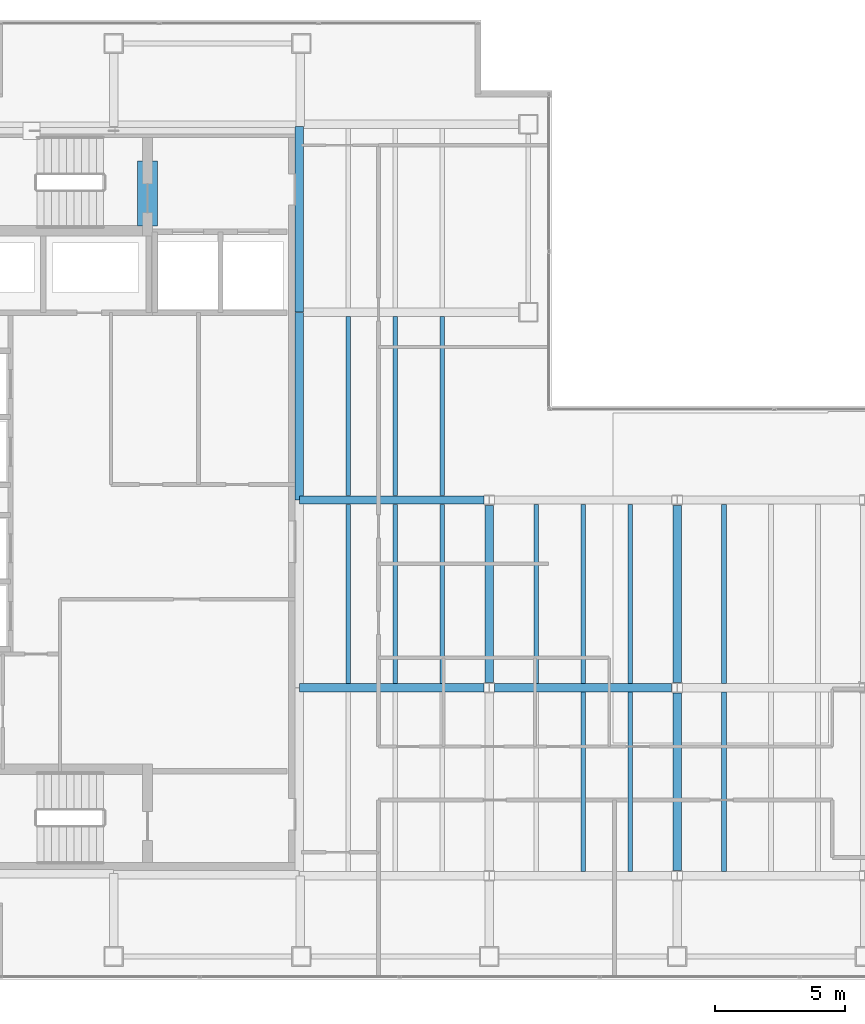
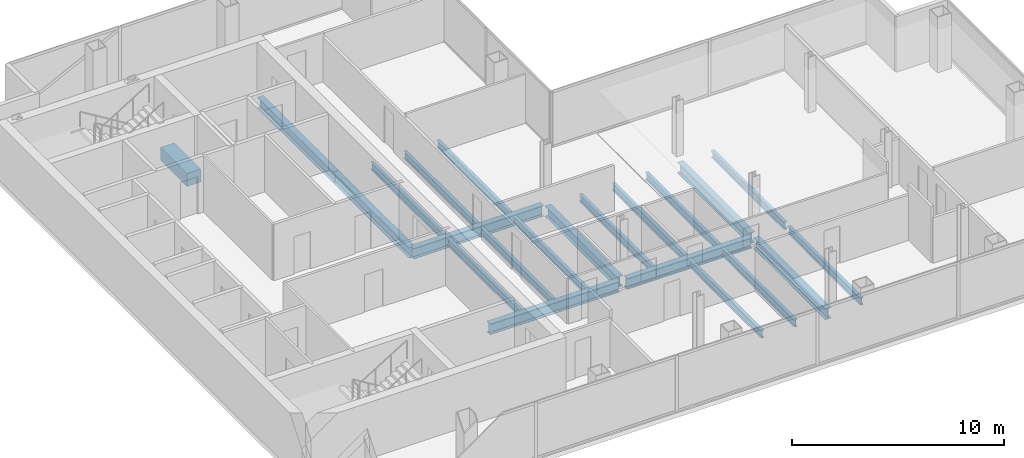
# One storey, part 7 of 23: 22 beams.
"""IFC4 building model written with IfcOpenShell, lengths in metres."""

from ifc_helpers import new_model, si_unit, direction, frame, origin, origin_2d, place, context, subcontext, project, spatial, rectangle, i_section, extrude, material, material_profile, profile_set, type_object, element, save


model = new_model("IFC4")

# Units and contexts
model_context = context("Model", 3, precision=1e-05, world=origin(), true_north=direction((0.0, 1.0)))
body_context = subcontext(model_context, "Body", "Model", "MODEL_VIEW")
ifc_project = project(units=[si_unit("LENGTHUNIT", "METRE"), si_unit("AREAUNIT", "SQUARE_METRE"), si_unit("VOLUMEUNIT", "CUBIC_METRE"), si_unit("PLANEANGLEUNIT", "RADIAN"), si_unit("MASSUNIT", "GRAM", prefix="KILO")], contexts=[model_context])

# Site, building, storey
site_placement = place(None, origin())
site = spatial("IfcSite", under=ifc_project, at=site_placement, CompositionType="ELEMENT")
building_placement = place(site_placement, origin())
building = spatial("IfcBuilding", under=site, at=building_placement, Name="Cobrela Telecom Tower", CompositionType="ELEMENT")
storey_placement = place(building_placement, frame((0.0, 0.0, 225.75)))
storey = spatial("IfcBuildingStorey", under=building, at=storey_placement, Name="L58", CompositionType="ELEMENT", Elevation=225.75)

# Beams
ifc_material_1 = material(Name="Concrete C40/50", Category="concrete")
ifc_material_profile_1 = material_profile(ifc_material_1, rectangle(XDim=0.75, YDim=0.75, at=origin_2d()), Name="RC 750x750")
ifc_profile_set_1 = profile_set([ifc_material_profile_1], Name="Concrete C40/50")
beam_type_1 = type_object("IfcBeamType", Name="BM-COUP-RC", PredefinedType="LINTEL", material=ifc_profile_set_1)
beam_1_placement = place(storey_placement, frame((8.5, 32.10009765625, -0.610107421875), z_axis=(0.0, 1.0, 0.0), x_axis=(-1.0, 0.0, 0.0)))
element("IfcBeam", 1, at=beam_1_placement, inside=storey, type_object=beam_type_1, Name="L58 Core Coupling Lintel Beam", PredefinedType="LINTEL", context=body_context, shape_type="SweptSolid", body=[
    extrude(rectangle(XDim=0.75, YDim=0.75, at=origin_2d()), origin(), (0.0, 0.0, 1.0), 2.5),
])
ifc_material_2 = material(Name="Steel ASTM A992 Grade 50", Category="steel")
ifc_material_profile_2 = material_profile(ifc_material_2, i_section(OverallWidth=0.324951171875, OverallDepth=0.612060546875, WebThickness=0.0126953125, FlangeThickness=0.01904296875, FilletRadius=0.014892578125, at=origin_2d()), Name="W24X104")
ifc_profile_set_2 = profile_set([ifc_material_profile_2], Name="Steel ASTM A992 Grade 50")
beam_type_2 = type_object("IfcBeamType", Name="BM-GIRD-07", PredefinedType="USERDEFINED", material=ifc_profile_set_2)
beam_2_placement = place(storey_placement, frame((14.324951171875, 14.39990234375, -0.56591796875), z_axis=(1.0, 0.0, 0.0), x_axis=(0.0, 1.0, 0.0)))
element("IfcBeam", 2, at=beam_2_placement, inside=storey, type_object=beam_type_2, Name="L58 Primary Girder X11", ObjectType="GIRDER", PredefinedType="USERDEFINED", context=body_context, shape_type="SweptSolid", body=[
    extrude(i_section(OverallWidth=0.324951171875, OverallDepth=0.612060546875, WebThickness=0.0126953125, FlangeThickness=0.01904296875, FilletRadius=0.014892578125, at=origin_2d()), origin(), (0.0, 0.0, 1.0), 7.070556640625),
])
beam_3_placement = place(storey_placement, frame((21.804443359375, 14.39990234375, -0.56591796875), z_axis=(1.0, 0.0, 0.0), x_axis=(0.0, 1.0, 0.0)))
element("IfcBeam", 3, at=beam_3_placement, inside=storey, type_object=beam_type_2, Name="L58 Primary Girder X12", ObjectType="GIRDER", PredefinedType="USERDEFINED", context=body_context, shape_type="SweptSolid", body=[
    extrude(i_section(OverallWidth=0.324951171875, OverallDepth=0.612060546875, WebThickness=0.0126953125, FlangeThickness=0.01904296875, FilletRadius=0.014892578125, at=origin_2d()), origin(), (0.0, 0.0, 1.0), 6.791015625),
])
beam_4_placement = place(storey_placement, frame((14.324951171875, 21.60009765625, -0.56591796875), z_axis=(1.0, 0.0, 0.0), x_axis=(0.0, 1.0, 0.0)))
element("IfcBeam", 4, at=beam_4_placement, inside=storey, type_object=beam_type_2, Name="L58 Primary Girder X15", ObjectType="GIRDER", PredefinedType="USERDEFINED", context=body_context, shape_type="SweptSolid", body=[
    extrude(i_section(OverallWidth=0.324951171875, OverallDepth=0.612060546875, WebThickness=0.0126953125, FlangeThickness=0.01904296875, FilletRadius=0.014892578125, at=origin_2d()), origin(), (0.0, 0.0, 1.0), 7.070556640625),
])
beam_5_placement = place(storey_placement, frame((14.320068359375, 21.60498046875, -0.56591796875), z_axis=(0.0, 1.0, 0.0), x_axis=(-1.0, 0.0, 0.0)))
element("IfcBeam", 5, at=beam_5_placement, inside=storey, type_object=beam_type_2, Name="L58 Primary Girder Y29", ObjectType="GIRDER", PredefinedType="USERDEFINED", context=body_context, shape_type="SweptSolid", body=[
    extrude(i_section(OverallWidth=0.324951171875, OverallDepth=0.612060546875, WebThickness=0.0126953125, FlangeThickness=0.01904296875, FilletRadius=0.014892578125, at=origin_2d()), origin(), (0.0, 0.0, 1.0), 7.18994140625),
])
beam_6_placement = place(storey_placement, frame((14.320068359375, 28.804931640625, -0.56591796875), z_axis=(0.0, 1.0, 0.0), x_axis=(-1.0, 0.0, 0.0)))
element("IfcBeam", 6, at=beam_6_placement, inside=storey, type_object=beam_type_2, Name="L58 Primary Girder Y30", ObjectType="GIRDER", PredefinedType="USERDEFINED", context=body_context, shape_type="SweptSolid", body=[
    extrude(i_section(OverallWidth=0.324951171875, OverallDepth=0.612060546875, WebThickness=0.0126953125, FlangeThickness=0.01904296875, FilletRadius=0.014892578125, at=origin_2d()), origin(), (0.0, 0.0, 1.0), 7.110107421875),
])
for number, where, z_axis, x_axis, name in (
    (7, (21.60009765625, 14.6044921875, -0.56591796875), (0.0, 1.0, 0.0), (-1.0, 0.0, 0.0), "L58 Primary Girder Y34"),
    (8, (28.800048828125, 7.404541015625, -0.56591796875), (0.0, 1.0, 0.0), (-1.0, 0.0, 0.0), "L58 Primary Girder Y37"),
    (9, (28.800048828125, 14.6044921875, -0.56591796875), (0.0, 1.0, 0.0), (-1.0, 0.0, 0.0), "L58 Primary Girder Y38"),
):
    element("IfcBeam", number, at=place(storey_placement, frame(where, z_axis=z_axis, x_axis=x_axis)), inside=storey, type_object=beam_type_2, Name=name, ObjectType="GIRDER", PredefinedType="USERDEFINED", context=body_context, shape_type="SweptSolid", body=[
        extrude(i_section(OverallWidth=0.324951171875, OverallDepth=0.612060546875, WebThickness=0.0126953125, FlangeThickness=0.01904296875, FilletRadius=0.014892578125, at=origin_2d()), origin(), (0.0, 0.0, 1.0), 6.791015625),
    ])
ifc_material_profile_3 = material_profile(ifc_material_2, i_section(OverallWidth=0.179931640625, OverallDepth=0.4169921875, WebThickness=0.010986328125, FlangeThickness=0.01806640625, FilletRadius=0.011962890625, at=origin_2d()), Name="W16X57")
ifc_profile_set_3 = profile_set([ifc_material_profile_3], Name="Steel ASTM A992 Grade 50")
beam_type_3 = type_object("IfcBeamType", Name="BM-JOIST-04", PredefinedType="JOIST", material=ifc_profile_set_3)
beam_7_placement = place(storey_placement, frame((16.199951171875, 14.5673828125, -0.468505859375), z_axis=(0.0, 1.0, 0.0), x_axis=(-1.0, 0.0, 0.0)))
element("IfcBeam", 10, at=beam_7_placement, inside=storey, type_object=beam_type_3, Name="L58 Secondary Composite Floor Beam J02", PredefinedType="JOIST", context=body_context, shape_type="SweptSolid", body=[
    extrude(i_section(OverallWidth=0.179931640625, OverallDepth=0.4169921875, WebThickness=0.010986328125, FlangeThickness=0.01806640625, FilletRadius=0.011962890625, at=origin_2d()), origin(), (0.0, 0.0, 1.0), 6.865234375),
])
beam_8_placement = place(storey_placement, frame((16.199951171875, 21.767578125, -0.468505859375), z_axis=(0.0, 1.0, 0.0), x_axis=(-1.0, 0.0, 0.0)))
element("IfcBeam", 11, at=beam_8_placement, inside=storey, type_object=beam_type_3, Name="L58 Secondary Composite Floor Beam J03", PredefinedType="JOIST", context=body_context, shape_type="SweptSolid", body=[
    extrude(i_section(OverallWidth=0.179931640625, OverallDepth=0.4169921875, WebThickness=0.010986328125, FlangeThickness=0.01806640625, FilletRadius=0.011962890625, at=origin_2d()), origin(), (0.0, 0.0, 1.0), 6.864990234375),
])
beam_9_placement = place(storey_placement, frame((18.0, 14.5673828125, -0.468505859375), z_axis=(0.0, 1.0, 0.0), x_axis=(-1.0, 0.0, 0.0)))
element("IfcBeam", 12, at=beam_9_placement, inside=storey, type_object=beam_type_3, Name="L58 Secondary Composite Floor Beam J06", PredefinedType="JOIST", context=body_context, shape_type="SweptSolid", body=[
    extrude(i_section(OverallWidth=0.179931640625, OverallDepth=0.4169921875, WebThickness=0.010986328125, FlangeThickness=0.01806640625, FilletRadius=0.011962890625, at=origin_2d()), origin(), (0.0, 0.0, 1.0), 6.865234375),
])
beam_10_placement = place(storey_placement, frame((18.0, 21.767578125, -0.468505859375), z_axis=(0.0, 1.0, 0.0), x_axis=(-1.0, 0.0, 0.0)))
element("IfcBeam", 13, at=beam_10_placement, inside=storey, type_object=beam_type_3, Name="L58 Secondary Composite Floor Beam J07", PredefinedType="JOIST", context=body_context, shape_type="SweptSolid", body=[
    extrude(i_section(OverallWidth=0.179931640625, OverallDepth=0.4169921875, WebThickness=0.010986328125, FlangeThickness=0.01806640625, FilletRadius=0.011962890625, at=origin_2d()), origin(), (0.0, 0.0, 1.0), 6.864990234375),
])
beam_11_placement = place(storey_placement, frame((19.800048828125, 14.5673828125, -0.468505859375), z_axis=(0.0, 1.0, 0.0), x_axis=(-1.0, 0.0, 0.0)))
element("IfcBeam", 14, at=beam_11_placement, inside=storey, type_object=beam_type_3, Name="L58 Secondary Composite Floor Beam J10", PredefinedType="JOIST", context=body_context, shape_type="SweptSolid", body=[
    extrude(i_section(OverallWidth=0.179931640625, OverallDepth=0.4169921875, WebThickness=0.010986328125, FlangeThickness=0.01806640625, FilletRadius=0.011962890625, at=origin_2d()), origin(), (0.0, 0.0, 1.0), 6.865234375),
])
beam_12_placement = place(storey_placement, frame((19.800048828125, 21.767578125, -0.468505859375), z_axis=(0.0, 1.0, 0.0), x_axis=(-1.0, 0.0, 0.0)))
element("IfcBeam", 15, at=beam_12_placement, inside=storey, type_object=beam_type_3, Name="L58 Secondary Composite Floor Beam J11", PredefinedType="JOIST", context=body_context, shape_type="SweptSolid", body=[
    extrude(i_section(OverallWidth=0.179931640625, OverallDepth=0.4169921875, WebThickness=0.010986328125, FlangeThickness=0.01806640625, FilletRadius=0.011962890625, at=origin_2d()), origin(), (0.0, 0.0, 1.0), 6.864990234375),
])
beam_13_placement = place(storey_placement, frame((23.39990234375, 14.5673828125, -0.468505859375), z_axis=(0.0, 1.0, 0.0), x_axis=(-1.0, 0.0, 0.0)))
element("IfcBeam", 16, at=beam_13_placement, inside=storey, type_object=beam_type_3, Name="L58 Secondary Composite Floor Beam J14", PredefinedType="JOIST", context=body_context, shape_type="SweptSolid", body=[
    extrude(i_section(OverallWidth=0.179931640625, OverallDepth=0.4169921875, WebThickness=0.010986328125, FlangeThickness=0.01806640625, FilletRadius=0.011962890625, at=origin_2d()), origin(), (0.0, 0.0, 1.0), 6.865234375),
])
beam_14_placement = place(storey_placement, frame((25.199951171875, 7.367431640625, -0.468505859375), z_axis=(0.0, 1.0, 0.0), x_axis=(-1.0, 0.0, 0.0)))
element("IfcBeam", 17, at=beam_14_placement, inside=storey, type_object=beam_type_3, Name="L58 Secondary Composite Floor Beam J15", PredefinedType="JOIST", context=body_context, shape_type="SweptSolid", body=[
    extrude(i_section(OverallWidth=0.179931640625, OverallDepth=0.4169921875, WebThickness=0.010986328125, FlangeThickness=0.01806640625, FilletRadius=0.011962890625, at=origin_2d()), origin(), (0.0, 0.0, 1.0), 6.864990234375),
])
beam_15_placement = place(storey_placement, frame((25.199951171875, 14.5673828125, -0.468505859375), z_axis=(0.0, 1.0, 0.0), x_axis=(-1.0, 0.0, 0.0)))
element("IfcBeam", 18, at=beam_15_placement, inside=storey, type_object=beam_type_3, Name="L58 Secondary Composite Floor Beam J16", PredefinedType="JOIST", context=body_context, shape_type="SweptSolid", body=[
    extrude(i_section(OverallWidth=0.179931640625, OverallDepth=0.4169921875, WebThickness=0.010986328125, FlangeThickness=0.01806640625, FilletRadius=0.011962890625, at=origin_2d()), origin(), (0.0, 0.0, 1.0), 6.865234375),
])
beam_16_placement = place(storey_placement, frame((27.0, 7.367431640625, -0.468505859375), z_axis=(0.0, 1.0, 0.0), x_axis=(-1.0, 0.0, 0.0)))
element("IfcBeam", 19, at=beam_16_placement, inside=storey, type_object=beam_type_3, Name="L58 Secondary Composite Floor Beam J17", PredefinedType="JOIST", context=body_context, shape_type="SweptSolid", body=[
    extrude(i_section(OverallWidth=0.179931640625, OverallDepth=0.4169921875, WebThickness=0.010986328125, FlangeThickness=0.01806640625, FilletRadius=0.011962890625, at=origin_2d()), origin(), (0.0, 0.0, 1.0), 6.864990234375),
])
beam_17_placement = place(storey_placement, frame((27.0, 14.5673828125, -0.468505859375), z_axis=(0.0, 1.0, 0.0), x_axis=(-1.0, 0.0, 0.0)))
element("IfcBeam", 20, at=beam_17_placement, inside=storey, type_object=beam_type_3, Name="L58 Secondary Composite Floor Beam J18", PredefinedType="JOIST", context=body_context, shape_type="SweptSolid", body=[
    extrude(i_section(OverallWidth=0.179931640625, OverallDepth=0.4169921875, WebThickness=0.010986328125, FlangeThickness=0.01806640625, FilletRadius=0.011962890625, at=origin_2d()), origin(), (0.0, 0.0, 1.0), 6.865234375),
])
beam_18_placement = place(storey_placement, frame((30.60009765625, 7.367431640625, -0.468505859375), z_axis=(0.0, 1.0, 0.0), x_axis=(-1.0, 0.0, 0.0)))
element("IfcBeam", 21, at=beam_18_placement, inside=storey, type_object=beam_type_3, Name="L58 Secondary Composite Floor Beam J19", PredefinedType="JOIST", context=body_context, shape_type="SweptSolid", body=[
    extrude(i_section(OverallWidth=0.179931640625, OverallDepth=0.4169921875, WebThickness=0.010986328125, FlangeThickness=0.01806640625, FilletRadius=0.011962890625, at=origin_2d()), origin(), (0.0, 0.0, 1.0), 6.864990234375),
])
beam_19_placement = place(storey_placement, frame((30.60009765625, 14.5673828125, -0.468505859375), z_axis=(0.0, 1.0, 0.0), x_axis=(-1.0, 0.0, 0.0)))
element("IfcBeam", 22, at=beam_19_placement, inside=storey, type_object=beam_type_3, Name="L58 Secondary Composite Floor Beam J20", PredefinedType="JOIST", context=body_context, shape_type="SweptSolid", body=[
    extrude(i_section(OverallWidth=0.179931640625, OverallDepth=0.4169921875, WebThickness=0.010986328125, FlangeThickness=0.01806640625, FilletRadius=0.011962890625, at=origin_2d()), origin(), (0.0, 0.0, 1.0), 6.865234375),
])

save(model, "model.ifc")
